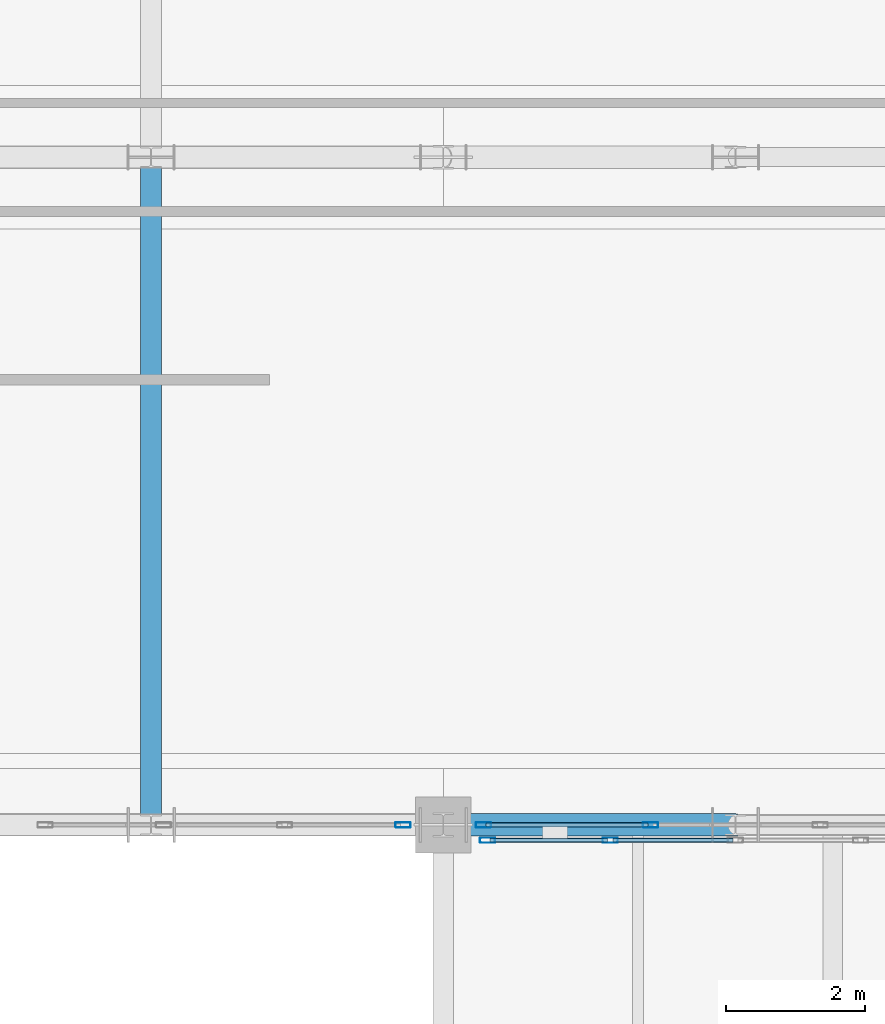
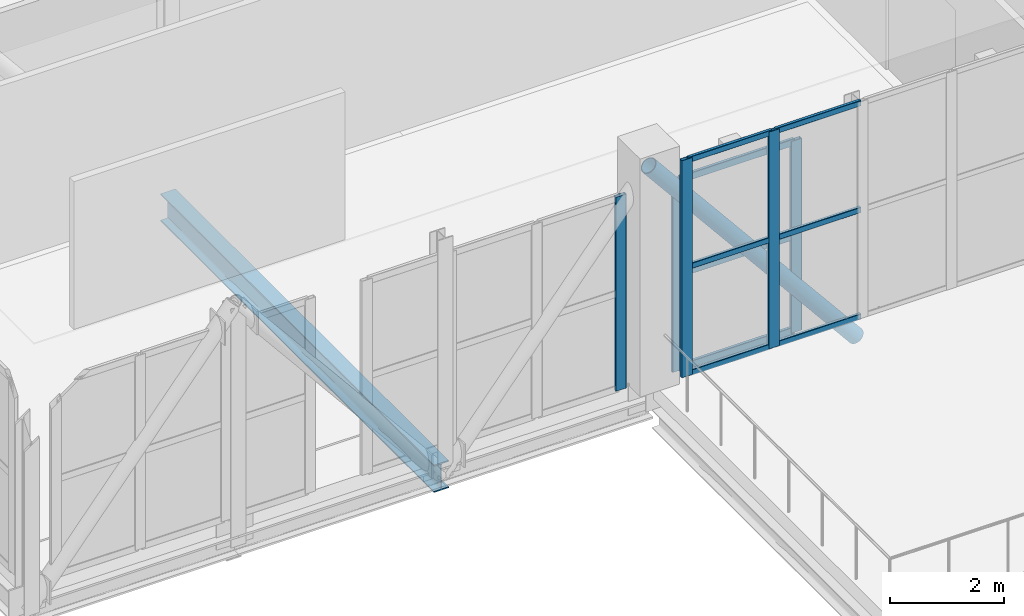
# One storey, part 3 of 77: 15 members, 1 beam, 3 elements without a shape of their own.
"""IFC4 building model written with IfcOpenShell, lengths in metres."""

from ifc_helpers import new_model, si_unit, direction, frame, origin, origin_2d, place, context, subcontext, project, spatial, hollow_rectangle, hollow_circle, i_section, extrude, material, layer, layer_set, material_profile, profile_set, type_object, element, aggregate, save


model = new_model("IFC4")

# Units and contexts
model_context = context("Model", 3, precision=1e-05, world=origin(), true_north=direction((0.0, 1.0)))
body_context = subcontext(model_context, "Body", "Model", "MODEL_VIEW")
ifc_project = project(units=[si_unit("LENGTHUNIT", "METRE"), si_unit("AREAUNIT", "SQUARE_METRE"), si_unit("VOLUMEUNIT", "CUBIC_METRE"), si_unit("PLANEANGLEUNIT", "RADIAN"), si_unit("MASSUNIT", "GRAM", prefix="KILO")], contexts=[model_context])

# Site, building, storey
site_placement = place(None, origin())
site = spatial("IfcSite", under=ifc_project, at=site_placement, CompositionType="ELEMENT")
building_placement = place(site_placement, origin())
building = spatial("IfcBuilding", under=site, at=building_placement, Name="Zulmaris Art Gallery", CompositionType="ELEMENT")
storey_placement = place(building_placement, frame((0.0, 0.0, 15.60009765625)))
storey = spatial("IfcBuildingStorey", under=building, at=storey_placement, Name="L03", CompositionType="ELEMENT", Elevation=15.60009765625)

# Beam
ifc_material_1 = material(Name="Steel S355J2", Category="steel")
ifc_material_profile_1 = material_profile(ifc_material_1, i_section(OverallWidth=0.300048828125, OverallDepth=0.590087890625, WebThickness=0.012939453125, FlangeThickness=0.02490234375, FilletRadius=0.027099609375, at=origin_2d()), Name="HEA 600")
ifc_profile_set_1 = profile_set([ifc_material_profile_1], Name="Steel S355J2")
beam_type = type_object("IfcBeamType", Name="BEAM-BM12", PredefinedType="BEAM", material=ifc_profile_set_1)
beam_placement = place(storey_placement, frame((19.800048828125, 21.60009765625, -0.614990234375), z_axis=(0.0, 1.0, 0.0), x_axis=(-1.0, 0.0, 0.0)))
element("IfcBeam", 1, at=beam_placement, inside=storey, type_object=beam_type, Name="L03 cantilever transverse girder at x=19.8", PredefinedType="BEAM", context=body_context, shape_type="SweptSolid", body=[
    extrude(i_section(OverallWidth=0.300048828125, OverallDepth=0.590087890625, WebThickness=0.012939453125, FlangeThickness=0.02490234375, FilletRadius=0.027099609375, at=origin_2d()), origin(), (0.0, 0.0, 1.0), 9.599853515625),
])

# Curtain wall, member
ifc_material_2 = material(Name="Unitised Low-E Gallery Curtain Wall", Category="aluminium")
ifc_layer_1 = layer(ifc_material_2, 0.179931640625)
ifc_layer_set_1 = layer_set([ifc_layer_1], Name="Unitised Low-E Gallery Curtain Wall")
curtain_wall_type_1 = type_object("IfcCurtainWallType", Name="CW-CW01", PredefinedType="NOTDEFINED", material=ifc_layer_set_1)
curtain_wall_1_placement = place(storey_placement, origin())
curtain_wall_1 = element("IfcCurtainWall", 2, at=curtain_wall_1_placement, inside=storey, type_object=curtain_wall_type_1, Name="L03 curtain wall 3", PredefinedType="NOTDEFINED")
ifc_material_3 = material(Name="Anodised Bronze Aluminium", Category="aluminium")
ifc_material_profile_2 = material_profile(ifc_material_3, hollow_rectangle(XDim=0.074951171875, YDim=0.219970703125, WallThickness=0.0048828125, InnerFilletRadius=0.007568359375, OuterFilletRadius=0.012451171875, at=origin_2d()), Name="ALU 75x220x5")
ifc_profile_set_2 = profile_set([ifc_material_profile_2], Name="Anodised Bronze Aluminium")
member_type_1 = type_object("IfcMemberType", Name="CWMUL-02", PredefinedType="MULLION", material=ifc_profile_set_2)
member_1_placement = place(storey_placement, frame((23.422607421875, 21.60009765625, 0.0), z_axis=(0.0, 0.0, 1.0), x_axis=(0.0, 1.0, 0.0)))
member_1 = element("IfcMember", 3, at=member_1_placement, type_object=member_type_1, Name="CW01 mullion 4", PredefinedType="MULLION", context=body_context, shape_type="SweptSolid", body=[
    extrude(hollow_rectangle(XDim=0.074951171875, YDim=0.219970703125, WallThickness=0.0048828125, InnerFilletRadius=0.007568359375, OuterFilletRadius=0.012451171875, at=origin_2d()), origin(), (0.0, 0.0, 1.0), 4.159912109375),
])
aggregate(curtain_wall_1, [member_1])

# Curtain wall, members
curtain_wall_2_placement = place(storey_placement, origin())
curtain_wall_2 = element("IfcCurtainWall", 4, at=curtain_wall_2_placement, inside=storey, type_object=curtain_wall_type_1, Name="L03 curtain wall 5", PredefinedType="NOTDEFINED")
member_2_placement = place(storey_placement, frame((24.577392578125, 21.60009765625, 0.0), z_axis=(0.0, 0.0, 1.0), x_axis=(0.0, 1.0, 0.0)))
member_2 = element("IfcMember", 5, at=member_2_placement, type_object=member_type_1, Name="CW01 mullion 1", PredefinedType="MULLION", context=body_context, shape_type="SweptSolid", body=[
    extrude(hollow_rectangle(XDim=0.074951171875, YDim=0.219970703125, WallThickness=0.0048828125, InnerFilletRadius=0.007568359375, OuterFilletRadius=0.012451171875, at=origin_2d()), origin(), (0.0, 0.0, 1.0), 4.10986328125),
])
member_3_placement = place(storey_placement, frame((26.97998046875, 21.60009765625, 0.0), z_axis=(0.0, 0.0, 1.0), x_axis=(0.0, 1.0, 0.0)))
member_3 = element("IfcMember", 6, at=member_3_placement, type_object=member_type_1, Name="CW01 mullion 2", PredefinedType="MULLION", context=body_context, shape_type="SweptSolid", body=[
    extrude(hollow_rectangle(XDim=0.074951171875, YDim=0.219970703125, WallThickness=0.0048828125, InnerFilletRadius=0.007568359375, OuterFilletRadius=0.012451171875, at=origin_2d()), origin(), (0.0, 0.0, 1.0), 4.10986328125),
])

ifc_material_4 = material(Name="Perforated Bronze Art Deco Mashrabiya Screen", Category="aluminium")
ifc_layer_2 = layer(ifc_material_4, 0.179931640625)
ifc_layer_set_2 = layer_set([ifc_layer_2], Name="Perforated Bronze Art Deco Mashrabiya Screen")
curtain_wall_type_2 = type_object("IfcCurtainWallType", Name="CW-CW06", PredefinedType="USERDEFINED", material=ifc_layer_set_2)
curtain_wall_3_placement = place(storey_placement, origin())
curtain_wall_3 = element("IfcCurtainWall", 7, at=curtain_wall_3_placement, inside=storey, type_object=curtain_wall_type_2, Name="L03 Mashrabiya screen 171", ObjectType="MASHRABIYA SCREEN", PredefinedType="USERDEFINED")
member_4_placement = place(storey_placement, frame((24.637451171875, 21.3798828125, 0.0), z_axis=(0.0, 0.0, 1.0), x_axis=(0.0, 1.0, 0.0)))
member_4 = element("IfcMember", 8, at=member_4_placement, type_object=member_type_1, Name="CW06 mullion 1", PredefinedType="MULLION", context=body_context, shape_type="SweptSolid", body=[
    extrude(hollow_rectangle(XDim=0.074951171875, YDim=0.219970703125, WallThickness=0.0048828125, InnerFilletRadius=0.007568359375, OuterFilletRadius=0.012451171875, at=origin_2d()), origin(), (0.0, 0.0, 1.0), 4.64990234375),
])
member_5_placement = place(storey_placement, frame((26.39990234375, 21.3798828125, 0.0), z_axis=(0.0, 0.0, 1.0), x_axis=(0.0, 1.0, 0.0)))
member_5 = element("IfcMember", 9, at=member_5_placement, type_object=member_type_1, Name="CW06 mullion 2", PredefinedType="MULLION", context=body_context, shape_type="SweptSolid", body=[
    extrude(hollow_rectangle(XDim=0.074951171875, YDim=0.219970703125, WallThickness=0.0048828125, InnerFilletRadius=0.007568359375, OuterFilletRadius=0.012451171875, at=origin_2d()), origin(), (0.0, 0.0, 1.0), 4.64990234375),
])

# Member
ifc_material_profile_3 = material_profile(ifc_material_3, hollow_rectangle(XDim=0.06494140625, YDim=0.14990234375, WallThickness=0.00390625, InnerFilletRadius=0.006103515625, OuterFilletRadius=0.010009765625, at=origin_2d()), Name="ALU 65x150x4")
ifc_profile_set_3 = profile_set([ifc_material_profile_3], Name="Anodised Bronze Aluminium")
member_type_2 = type_object("IfcMemberType", Name="CWTRN-01", PredefinedType="USERDEFINED", material=ifc_profile_set_3)
member_6_placement = place(storey_placement, frame((24.614990234375, 21.60009765625, 0.037353515625), z_axis=(1.0, 0.0, 0.0), x_axis=(0.0, 1.0, 0.0)))
member_6 = element("IfcMember", 10, at=member_6_placement, type_object=member_type_2, Name="CW01 transom 1.1", ObjectType="TRANSOM", PredefinedType="USERDEFINED", context=body_context, shape_type="SweptSolid", body=[
    extrude(hollow_rectangle(XDim=0.06494140625, YDim=0.14990234375, WallThickness=0.00390625, InnerFilletRadius=0.006103515625, OuterFilletRadius=0.010009765625, at=origin_2d()), origin(), (0.0, 0.0, 1.0), 2.327392578125),
])

member_7_placement = place(storey_placement, frame((24.614990234375, 21.60009765625, 2.054931640625), z_axis=(1.0, 0.0, 0.0), x_axis=(0.0, 1.0, 0.0)))
member_7 = element("IfcMember", 11, at=member_7_placement, type_object=member_type_2, Name="CW01 transom 1.2", ObjectType="TRANSOM", PredefinedType="USERDEFINED", context=body_context, shape_type="SweptSolid", body=[
    extrude(hollow_rectangle(XDim=0.06494140625, YDim=0.14990234375, WallThickness=0.00390625, InnerFilletRadius=0.006103515625, OuterFilletRadius=0.010009765625, at=origin_2d()), origin(), (0.0, 0.0, 1.0), 2.327392578125),
])

member_8_placement = place(storey_placement, frame((24.614990234375, 21.60009765625, 4.072509765625), z_axis=(1.0, 0.0, 0.0), x_axis=(0.0, 1.0, 0.0)))
member_8 = element("IfcMember", 12, at=member_8_placement, type_object=member_type_2, Name="CW01 transom 1.3", ObjectType="TRANSOM", PredefinedType="USERDEFINED", context=body_context, shape_type="SweptSolid", body=[
    extrude(hollow_rectangle(XDim=0.06494140625, YDim=0.14990234375, WallThickness=0.00390625, InnerFilletRadius=0.006103515625, OuterFilletRadius=0.010009765625, at=origin_2d()), origin(), (0.0, 0.0, 1.0), 2.327392578125),
])

aggregate(curtain_wall_2, [member_2, member_3, member_6, member_7, member_8])

ifc_material_profile_4 = material_profile(ifc_material_3, hollow_rectangle(XDim=0.06494140625, YDim=0.1201171875, WallThickness=0.00390625, InnerFilletRadius=0.006103515625, OuterFilletRadius=0.010009765625, at=origin_2d()), Name="ALU 65x120x4")
ifc_profile_set_4 = profile_set([ifc_material_profile_4], Name="Anodised Bronze Aluminium")
member_type_3 = type_object("IfcMemberType", Name="CWTRN-03", PredefinedType="USERDEFINED", material=ifc_profile_set_4)
member_9_placement = place(storey_placement, frame((24.675048828125, 21.3798828125, 0.037353515625), z_axis=(1.0, 0.0, 0.0), x_axis=(0.0, 1.0, 0.0)))
member_9 = element("IfcMember", 13, at=member_9_placement, type_object=member_type_3, Name="CW06 transom 1.1", ObjectType="TRANSOM", PredefinedType="USERDEFINED", context=body_context, shape_type="SweptSolid", body=[
    extrude(hollow_rectangle(XDim=0.06494140625, YDim=0.1201171875, WallThickness=0.00390625, InnerFilletRadius=0.006103515625, OuterFilletRadius=0.010009765625, at=origin_2d()), origin(), (0.0, 0.0, 1.0), 1.6875),
])

member_10_placement = place(storey_placement, frame((24.675048828125, 21.3798828125, 2.324951171875), z_axis=(1.0, 0.0, 0.0), x_axis=(0.0, 1.0, 0.0)))
member_10 = element("IfcMember", 14, at=member_10_placement, type_object=member_type_3, Name="CW06 transom 1.2", ObjectType="TRANSOM", PredefinedType="USERDEFINED", context=body_context, shape_type="SweptSolid", body=[
    extrude(hollow_rectangle(XDim=0.06494140625, YDim=0.1201171875, WallThickness=0.00390625, InnerFilletRadius=0.006103515625, OuterFilletRadius=0.010009765625, at=origin_2d()), origin(), (0.0, 0.0, 1.0), 1.6875),
])

member_11_placement = place(storey_placement, frame((24.675048828125, 21.3798828125, 4.6123046875), z_axis=(1.0, 0.0, 0.0), x_axis=(0.0, 1.0, 0.0)))
member_11 = element("IfcMember", 15, at=member_11_placement, type_object=member_type_3, Name="CW06 transom 1.3", ObjectType="TRANSOM", PredefinedType="USERDEFINED", context=body_context, shape_type="SweptSolid", body=[
    extrude(hollow_rectangle(XDim=0.06494140625, YDim=0.1201171875, WallThickness=0.00390625, InnerFilletRadius=0.006103515625, OuterFilletRadius=0.010009765625, at=origin_2d()), origin(), (0.0, 0.0, 1.0), 1.6875),
])

member_12_placement = place(storey_placement, frame((26.4375, 21.3798828125, 0.037353515625), z_axis=(1.0, 0.0, 0.0), x_axis=(0.0, 1.0, 0.0)))
member_12 = element("IfcMember", 16, at=member_12_placement, type_object=member_type_3, Name="CW06 transom 2.1", ObjectType="TRANSOM", PredefinedType="USERDEFINED", context=body_context, shape_type="SweptSolid", body=[
    extrude(hollow_rectangle(XDim=0.06494140625, YDim=0.1201171875, WallThickness=0.00390625, InnerFilletRadius=0.006103515625, OuterFilletRadius=0.010009765625, at=origin_2d()), origin(), (0.0, 0.0, 1.0), 1.72509765625),
])

member_13_placement = place(storey_placement, frame((26.4375, 21.3798828125, 2.324951171875), z_axis=(1.0, 0.0, 0.0), x_axis=(0.0, 1.0, 0.0)))
member_13 = element("IfcMember", 17, at=member_13_placement, type_object=member_type_3, Name="CW06 transom 2.2", ObjectType="TRANSOM", PredefinedType="USERDEFINED", context=body_context, shape_type="SweptSolid", body=[
    extrude(hollow_rectangle(XDim=0.06494140625, YDim=0.1201171875, WallThickness=0.00390625, InnerFilletRadius=0.006103515625, OuterFilletRadius=0.010009765625, at=origin_2d()), origin(), (0.0, 0.0, 1.0), 1.72509765625),
])

member_14_placement = place(storey_placement, frame((26.4375, 21.3798828125, 4.6123046875), z_axis=(1.0, 0.0, 0.0), x_axis=(0.0, 1.0, 0.0)))
member_14 = element("IfcMember", 18, at=member_14_placement, type_object=member_type_3, Name="CW06 transom 2.3", ObjectType="TRANSOM", PredefinedType="USERDEFINED", context=body_context, shape_type="SweptSolid", body=[
    extrude(hollow_rectangle(XDim=0.06494140625, YDim=0.1201171875, WallThickness=0.00390625, InnerFilletRadius=0.006103515625, OuterFilletRadius=0.010009765625, at=origin_2d()), origin(), (0.0, 0.0, 1.0), 1.72509765625),
])

aggregate(curtain_wall_3, [member_4, member_5, member_9, member_10, member_11, member_12, member_13, member_14])

ifc_material_5 = material(Name="Steel S355J2H", Category="steel")
ifc_material_profile_5 = material_profile(ifc_material_5, hollow_circle(Radius=0.161865234375, WallThickness=0.01611328125, at=origin_2d()), Name="CHS 323.9x16")
ifc_profile_set_5 = profile_set([ifc_material_profile_5], Name="Steel S355J2H")
member_type_4 = type_object("IfcMemberType", Name="MEM-TB04", PredefinedType="BRACE", material=ifc_profile_set_5)
member_15_placement = place(storey_placement, frame((24.0, 21.60009765625, 4.58251953125), z_axis=(0.634319436883, 0.0, -0.773071052357), x_axis=(0.0, 1.0, 0.0)))
element("IfcMember", 19, at=member_15_placement, inside=storey, type_object=member_type_4, Name="Cantilever truss TR-C1 diagonal 4", PredefinedType="BRACE", context=body_context, shape_type="SweptSolid", body=[
    extrude(hollow_circle(Radius=0.161865234375, WallThickness=0.01611328125, at=origin_2d()), origin(), (0.0, 0.0, 1.0), 6.62109375),
])

save(model, "model.ifc")
